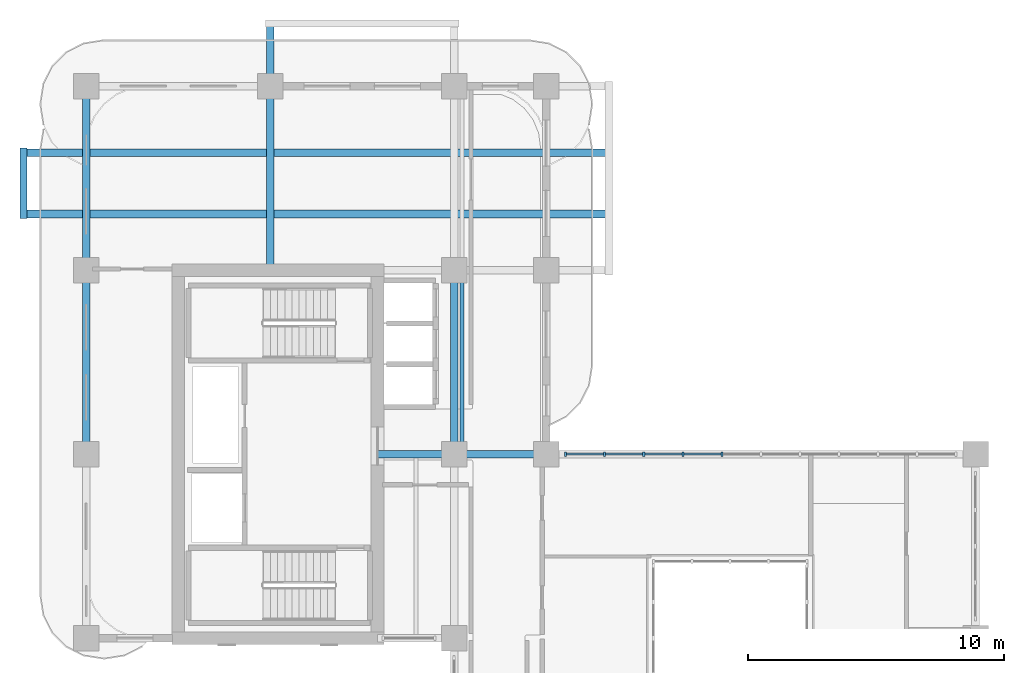
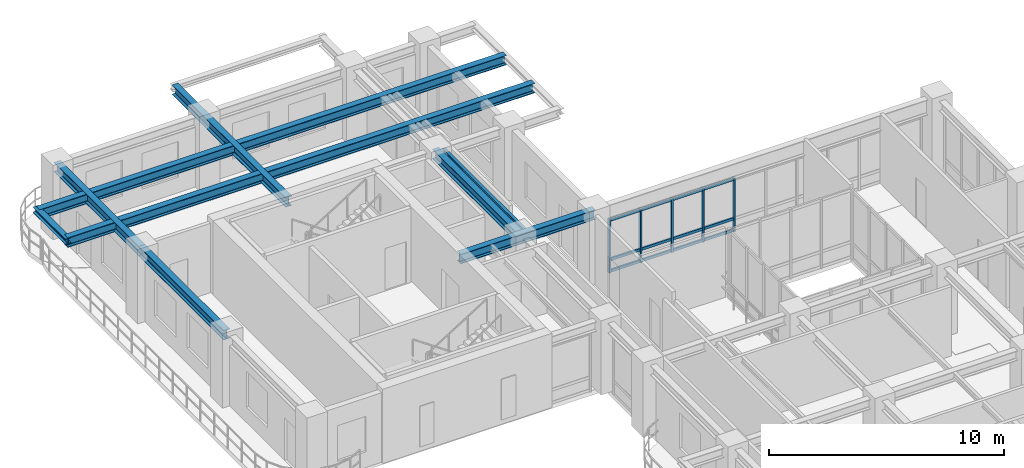
# One storey, part 5 of 19: 17 members, 9 beams, 1 element without a shape of its own.
"""IFC4 building model written with IfcOpenShell, lengths in metres."""

from ifc_helpers import new_model, si_unit, derived_unit, direction, frame, origin, origin_2d, place, context, subcontext, project, spatial, rectangle, i_section, extrude, source, transform, mapped, material, layer, layer_set, material_profile, profile_set, type_object, type_shapes, element, aggregate, save


model = new_model("IFC4")

# Units and contexts
model_context = context("Model", 3, precision=1e-05, world=origin(), true_north=direction((0.0, 1.0)))
body_context = subcontext(model_context, "Body", "Model", "MODEL_VIEW")
ifc_project = project(units=[si_unit("LENGTHUNIT", "METRE"), si_unit("AREAUNIT", "SQUARE_METRE"), si_unit("VOLUMEUNIT", "CUBIC_METRE"), si_unit("PLANEANGLEUNIT", "RADIAN"), si_unit("MASSUNIT", "GRAM", prefix="KILO"), si_unit("THERMODYNAMICTEMPERATUREUNIT", "KELVIN"), si_unit("POWERUNIT", "WATT"), derived_unit("THERMALTRANSMITTANCEUNIT", [(si_unit("POWERUNIT", "WATT"), 1), (si_unit("AREAUNIT", "SQUARE_METRE"), -1), (si_unit("THERMODYNAMICTEMPERATUREUNIT", "KELVIN"), -1)])], contexts=[model_context])

# Site, building, storey
site_placement = place(None, origin())
site = spatial("IfcSite", under=ifc_project, at=site_placement, CompositionType="ELEMENT")
building_placement = place(site_placement, origin())
building = spatial("IfcBuilding", under=site, at=building_placement, Name="Zahravan Archway Hotel and Residences", CompositionType="ELEMENT")
storey_placement = place(building_placement, frame((0.0, 0.0, 158.0)))
storey = spatial("IfcBuildingStorey", under=building, at=storey_placement, Name="L39", CompositionType="ELEMENT", Elevation=158.0)

# Beams
ifc_material_1 = material(Name="Structural Steel S355JR", Category="steel")
ifc_material_profile_1 = material_profile(ifc_material_1, i_section(OverallWidth=0.280029296875, OverallDepth=0.280029296875, WebThickness=0.010498046875, FlangeThickness=0.01806640625, FilletRadius=0.02392578125, at=origin_2d()), Name="HEB 280", Category="steel")
ifc_profile_set_1 = profile_set([ifc_material_profile_1], Name="Structural Steel S355JR")
beam_type_1 = type_object("IfcBeamType", Name="BM-SPN-HEB280", PredefinedType="SPANDREL", material=ifc_profile_set_1)
shared_shape_1 = source(origin(), body_context, "Body", "SweptSolid", [
    extrude(i_section(OverallWidth=0.280029296875, OverallDepth=0.280029296875, WebThickness=0.010498046875, FlangeThickness=0.01806640625, FilletRadius=0.02392578125, at=origin_2d()), origin(), (0.0, 0.0, 1.0), 2.759765625),
])
beam_1_placement = place(storey_placement, frame((-2.449951171875, 41.6201171875, 3.4599609375), z_axis=(0.0, 1.0, 0.0), x_axis=(-1.0, 0.0, 0.0)))
element("IfcBeam", 1, at=beam_1_placement, inside=storey, type_object=beam_type_1, Name="L40 WB Balcony Edge Spandrel", PredefinedType="SPANDREL", context=body_context, shape_type="MappedRepresentation", body=[
    mapped(shared_shape_1, transform((0.0, 0.0, 0.0), scale=1.0)),
])
ifc_material_profile_2 = material_profile(ifc_material_1, i_section(OverallWidth=0.300048828125, OverallDepth=0.5, WebThickness=0.014404296875, FlangeThickness=0.028076171875, FilletRadius=0.027099609375, at=origin_2d()), Name="HEB 500", Category="steel")
ifc_profile_set_2 = profile_set([ifc_material_profile_2], Name="Structural Steel S355JR")
beam_type_2 = type_object("IfcBeamType", Name="BM-PRI-HEB500", PredefinedType="BEAM", material=ifc_profile_set_2)
shared_shape_2 = source(origin(), body_context, "Body", "SweptSolid", [
    extrude(i_section(OverallWidth=0.300048828125, OverallDepth=0.5, WebThickness=0.014404296875, FlangeThickness=0.028076171875, FilletRadius=0.027099609375, at=origin_2d()), origin(), (0.0, 0.0, 1.0), 7.2001953125),
])
type_shapes(beam_type_2, [shared_shape_2])
for number, where, z_axis, x_axis, name in (
    (2, (0.0, 32.39990234375, 3.35009765625), (0.0, 1.0, 0.0), (-1.0, 0.0, 0.0), "L39 Primary Girder NS-25"),
    (3, (14.39990234375, 32.39990234375, 3.35009765625), (0.0, 1.0, 0.0), (-1.0, 0.0, 0.0), "L39 Primary Girder NS-33"),
):
    element("IfcBeam", number, at=place(storey_placement, frame(where, z_axis=z_axis, x_axis=x_axis)), inside=storey, type_object=beam_type_2, Name=name, PredefinedType="BEAM", context=body_context, shape_type="MappedRepresentation", body=[
        mapped(shared_shape_2, transform((0.0, 0.0, 0.0), scale=1.0)),
    ])
shared_shape_3 = source(origin(), body_context, "Body", "SweptSolid", [
    extrude(i_section(OverallWidth=0.300048828125, OverallDepth=0.5, WebThickness=0.014404296875, FlangeThickness=0.028076171875, FilletRadius=0.027099609375, at=origin_2d()), origin(), (0.0, 0.0, 1.0), 7.199951171875),
])
beam_2_placement = place(storey_placement, frame((0.0, 39.60009765625, 3.35009765625), z_axis=(0.0, 1.0, 0.0), x_axis=(-1.0, 0.0, 0.0)))
element("IfcBeam", 4, at=beam_2_placement, inside=storey, type_object=beam_type_2, Name="L39 Primary Girder NS-26", PredefinedType="BEAM", context=body_context, shape_type="MappedRepresentation", body=[
    mapped(shared_shape_3, transform((0.0, 0.0, 0.0), scale=1.0)),
])
shared_shape_4 = source(origin(), body_context, "Body", "SweptSolid", [
    extrude(i_section(OverallWidth=0.300048828125, OverallDepth=0.5, WebThickness=0.014404296875, FlangeThickness=0.028076171875, FilletRadius=0.027099609375, at=origin_2d()), origin(), (0.0, 0.0, 1.0), 6.60009765625),
])
beam_3_placement = place(storey_placement, frame((11.39990234375, 32.39990234375, 3.35009765625), z_axis=(1.0, 0.0, 0.0), x_axis=(0.0, 1.0, 0.0)))
element("IfcBeam", 5, at=beam_3_placement, inside=storey, type_object=beam_type_2, Name="L39 Primary Girder EW-17", PredefinedType="BEAM", context=body_context, shape_type="MappedRepresentation", body=[
    mapped(shared_shape_4, transform((0.0, 0.0, 0.0), scale=1.0)),
])
shared_shape_5 = source(origin(), body_context, "Body", "SweptSolid", [
    extrude(i_section(OverallWidth=0.300048828125, OverallDepth=0.5, WebThickness=0.014404296875, FlangeThickness=0.028076171875, FilletRadius=0.027099609375, at=origin_2d()), origin(), (0.0, 0.0, 1.0), 22.89990234375),
])
for number, where, z_axis, x_axis, name in (
    (6, (-2.449951171875, 41.800048828125, 3.35009765625), (1.0, 0.0, 0.0), (0.0, 1.0, 0.0), "L39 Primary Girder EW-22"),
    (7, (-2.449951171875, 44.199951171875, 3.35009765625), (1.0, 0.0, 0.0), (0.0, 1.0, 0.0), "L39 Primary Girder EW-23"),
):
    element("IfcBeam", number, at=place(storey_placement, frame(where, z_axis=z_axis, x_axis=x_axis)), inside=storey, type_object=beam_type_2, Name=name, PredefinedType="BEAM", context=body_context, shape_type="MappedRepresentation", body=[
        mapped(shared_shape_5, transform((0.0, 0.0, 0.0), scale=1.0)),
    ])
shared_shape_6 = source(origin(), body_context, "Body", "SweptSolid", [
    extrude(i_section(OverallWidth=0.300048828125, OverallDepth=0.5, WebThickness=0.014404296875, FlangeThickness=0.028076171875, FilletRadius=0.027099609375, at=origin_2d()), origin(), (0.0, 0.0, 1.0), 9.64990234375),
])
beam_4_placement = place(storey_placement, frame((7.199951171875, 39.60009765625, 3.35009765625), z_axis=(0.0, 1.0, 0.0), x_axis=(-1.0, 0.0, 0.0)))
element("IfcBeam", 8, at=beam_4_placement, inside=storey, type_object=beam_type_2, Name="L39 Primary Girder NS-27", PredefinedType="BEAM", context=body_context, shape_type="MappedRepresentation", body=[
    mapped(shared_shape_6, transform((0.0, 0.0, 0.0), scale=1.0)),
])
ifc_material_profile_3 = material_profile(ifc_material_1, i_section(OverallWidth=0.14990234375, OverallDepth=0.300048828125, WebThickness=0.007080078125, FlangeThickness=0.0107421875, FilletRadius=0.014892578125, at=origin_2d()), Name="IPE 300", Category="steel")
ifc_profile_set_3 = profile_set([ifc_material_profile_3], Name="Structural Steel S355JR")
beam_type_3 = type_object("IfcBeamType", Name="BM-JST-IPE300", PredefinedType="JOIST", material=ifc_profile_set_3)
shared_shape_7 = source(origin(), body_context, "Body", "SweptSolid", [
    extrude(i_section(OverallWidth=0.14990234375, OverallDepth=0.300048828125, WebThickness=0.007080078125, FlangeThickness=0.0107421875, FilletRadius=0.014892578125, at=origin_2d()), origin(), (0.0, 0.0, 1.0), 6.90380859375),
])
beam_5_placement = place(storey_placement, frame((14.699951171875, 32.548095703125, 3.449951171875), z_axis=(0.0, 1.0, 0.0), x_axis=(-1.0, 0.0, 0.0)))
element("IfcBeam", 9, at=beam_5_placement, inside=storey, type_object=beam_type_3, Name="L39 Composite Floor Joist 11", PredefinedType="JOIST", context=body_context, shape_type="MappedRepresentation", body=[
    mapped(shared_shape_7, transform((0.0, 0.0, 0.0), scale=1.0)),
])

# Curtain wall, members
ifc_material_2 = material(Name="Bronze-Anodized Unitised Aluminium & Low-E Glass", Category="aluminium")
ifc_layer = layer(ifc_material_2, 0.179931640625, Name="Bronze-Anodized Unitised Aluminium & Low-E Glass", Category="aluminium")
ifc_layer_set = layer_set([ifc_layer], Name="Bronze-Anodized Unitised Aluminium & Low-E Glass")
curtain_wall_type = type_object("IfcCurtainWallType", Name="CW-ATR-GLAZ", PredefinedType="NOTDEFINED", material=ifc_layer_set)
curtain_wall_placement = place(storey_placement, origin())
curtain_wall = element("IfcCurtainWall", 10, at=curtain_wall_placement, inside=storey, type_object=curtain_wall_type, Name="L39 Curtain Wall CW-L39-HNG-N-1", PredefinedType="NOTDEFINED")
ifc_material_3 = material(Name="Bronze-Anodized Extruded Aluminium", Category="aluminium")
ifc_material_profile_4 = material_profile(ifc_material_3, rectangle(XDim=0.080078125, YDim=0.139892578125, at=origin_2d()), Name="TRN 80x140", Category="aluminium")
ifc_profile_set_4 = profile_set([ifc_material_profile_4], Name="Bronze-Anodized Extruded Aluminium")
member_type_1 = type_object("IfcMemberType", Name="CWM-TRN-140", PredefinedType="USERDEFINED", material=ifc_profile_set_4)
shared_shape_8 = source(origin(), body_context, "Body", "SweptSolid", [
    extrude(rectangle(XDim=0.080078125, YDim=0.139892578125, at=origin_2d()), origin(), (0.0, 0.0, 1.0), 1.447998046875),
])
member_1_placement = place(storey_placement, frame((18.800048828125, 32.39990234375, 0.070068359375), z_axis=(1.0, 0.0, 0.0), x_axis=(0.0, 1.0, 0.0)))
member_1 = element("IfcMember", 11, at=member_1_placement, type_object=member_type_1, Name="CW-L39-HNG-N-1 Transom 0-1", ObjectType="TRANSOM", PredefinedType="USERDEFINED", context=body_context, shape_type="MappedRepresentation", body=[
    mapped(shared_shape_8, transform((0.0, 0.0, 0.0), scale=1.0)),
])
member_2_placement = place(storey_placement, frame((18.800048828125, 32.39990234375, 0.66845703125), z_axis=(1.0, 0.0, 0.0), x_axis=(0.0, 1.0, 0.0)))
member_2 = element("IfcMember", 12, at=member_2_placement, type_object=member_type_1, Name="CW-L39-HNG-N-1 Transom 0-2", ObjectType="TRANSOM", PredefinedType="USERDEFINED", context=body_context, shape_type="MappedRepresentation", body=[
    mapped(shared_shape_8, transform((0.0, 0.0, 0.0), scale=1.0)),
])
member_3_placement = place(storey_placement, frame((18.800048828125, 32.39990234375, 2.715087890625), z_axis=(1.0, 0.0, 0.0), x_axis=(0.0, 1.0, 0.0)))
member_3 = element("IfcMember", 13, at=member_3_placement, type_object=member_type_1, Name="CW-L39-HNG-N-1 Transom 0-3", ObjectType="TRANSOM", PredefinedType="USERDEFINED", context=body_context, shape_type="MappedRepresentation", body=[
    mapped(shared_shape_8, transform((0.0, 0.0, 0.0), scale=1.0)),
])
member_4_placement = place(storey_placement, frame((20.327880859375, 32.39990234375, 0.070068359375), z_axis=(1.0, 0.0, 0.0), x_axis=(0.0, 1.0, 0.0)))
member_4 = element("IfcMember", 14, at=member_4_placement, type_object=member_type_1, Name="CW-L39-HNG-N-1 Transom 1-1", ObjectType="TRANSOM", PredefinedType="USERDEFINED", context=body_context, shape_type="MappedRepresentation", body=[
    mapped(shared_shape_8, transform((0.0, 0.0, 0.0), scale=1.0)),
])
member_5_placement = place(storey_placement, frame((20.327880859375, 32.39990234375, 0.66845703125), z_axis=(1.0, 0.0, 0.0), x_axis=(0.0, 1.0, 0.0)))
member_5 = element("IfcMember", 15, at=member_5_placement, type_object=member_type_1, Name="CW-L39-HNG-N-1 Transom 1-2", ObjectType="TRANSOM", PredefinedType="USERDEFINED", context=body_context, shape_type="MappedRepresentation", body=[
    mapped(shared_shape_8, transform((0.0, 0.0, 0.0), scale=1.0)),
])
member_6_placement = place(storey_placement, frame((20.327880859375, 32.39990234375, 2.715087890625), z_axis=(1.0, 0.0, 0.0), x_axis=(0.0, 1.0, 0.0)))
member_6 = element("IfcMember", 16, at=member_6_placement, type_object=member_type_1, Name="CW-L39-HNG-N-1 Transom 1-3", ObjectType="TRANSOM", PredefinedType="USERDEFINED", context=body_context, shape_type="MappedRepresentation", body=[
    mapped(shared_shape_8, transform((0.0, 0.0, 0.0), scale=1.0)),
])
member_7_placement = place(storey_placement, frame((21.85595703125, 32.39990234375, 0.070068359375), z_axis=(1.0, 0.0, 0.0), x_axis=(0.0, 1.0, 0.0)))
member_7 = element("IfcMember", 17, at=member_7_placement, type_object=member_type_1, Name="CW-L39-HNG-N-1 Transom 2-1", ObjectType="TRANSOM", PredefinedType="USERDEFINED", context=body_context, shape_type="MappedRepresentation", body=[
    mapped(shared_shape_8, transform((0.0, 0.0, 0.0), scale=1.0)),
])
member_8_placement = place(storey_placement, frame((21.85595703125, 32.39990234375, 0.66845703125), z_axis=(1.0, 0.0, 0.0), x_axis=(0.0, 1.0, 0.0)))
member_8 = element("IfcMember", 18, at=member_8_placement, type_object=member_type_1, Name="CW-L39-HNG-N-1 Transom 2-2", ObjectType="TRANSOM", PredefinedType="USERDEFINED", context=body_context, shape_type="MappedRepresentation", body=[
    mapped(shared_shape_8, transform((0.0, 0.0, 0.0), scale=1.0)),
])
member_9_placement = place(storey_placement, frame((21.85595703125, 32.39990234375, 2.715087890625), z_axis=(1.0, 0.0, 0.0), x_axis=(0.0, 1.0, 0.0)))
member_9 = element("IfcMember", 19, at=member_9_placement, type_object=member_type_1, Name="CW-L39-HNG-N-1 Transom 2-3", ObjectType="TRANSOM", PredefinedType="USERDEFINED", context=body_context, shape_type="MappedRepresentation", body=[
    mapped(shared_shape_8, transform((0.0, 0.0, 0.0), scale=1.0)),
])
member_10_placement = place(storey_placement, frame((23.384033203125, 32.39990234375, 0.070068359375), z_axis=(1.0, 0.0, 0.0), x_axis=(0.0, 1.0, 0.0)))
member_10 = element("IfcMember", 20, at=member_10_placement, type_object=member_type_1, Name="CW-L39-HNG-N-1 Transom 3-1", ObjectType="TRANSOM", PredefinedType="USERDEFINED", context=body_context, shape_type="MappedRepresentation", body=[
    mapped(shared_shape_8, transform((0.0, 0.0, 0.0), scale=1.0)),
])
member_11_placement = place(storey_placement, frame((23.384033203125, 32.39990234375, 0.66845703125), z_axis=(1.0, 0.0, 0.0), x_axis=(0.0, 1.0, 0.0)))
member_11 = element("IfcMember", 21, at=member_11_placement, type_object=member_type_1, Name="CW-L39-HNG-N-1 Transom 3-2", ObjectType="TRANSOM", PredefinedType="USERDEFINED", context=body_context, shape_type="MappedRepresentation", body=[
    mapped(shared_shape_8, transform((0.0, 0.0, 0.0), scale=1.0)),
])
member_12_placement = place(storey_placement, frame((23.384033203125, 32.39990234375, 2.715087890625), z_axis=(1.0, 0.0, 0.0), x_axis=(0.0, 1.0, 0.0)))
member_12 = element("IfcMember", 22, at=member_12_placement, type_object=member_type_1, Name="CW-L39-HNG-N-1 Transom 3-3", ObjectType="TRANSOM", PredefinedType="USERDEFINED", context=body_context, shape_type="MappedRepresentation", body=[
    mapped(shared_shape_8, transform((0.0, 0.0, 0.0), scale=1.0)),
])
ifc_material_profile_5 = material_profile(ifc_material_3, rectangle(XDim=0.080078125, YDim=0.159912109375, at=origin_2d()), Name="MUL 80x160", Category="aluminium")
ifc_profile_set_5 = profile_set([ifc_material_profile_5], Name="Bronze-Anodized Extruded Aluminium")
member_type_2 = type_object("IfcMemberType", Name="CWM-MUL-160", PredefinedType="MULLION", material=ifc_profile_set_5)
shared_shape_9 = source(origin(), body_context, "Body", "SweptSolid", [
    extrude(rectangle(XDim=0.080078125, YDim=0.159912109375, at=origin_2d()), origin(), (0.0, 0.0, 1.0), 2.784912109375),
])
member_13_placement = place(storey_placement, frame((18.760009765625, 32.39990234375, 0.0), z_axis=(0.0, 0.0, 1.0), x_axis=(1.0, 0.0, 0.0)))
member_13 = element("IfcMember", 23, at=member_13_placement, type_object=member_type_2, Name="CW-L39-HNG-N-1 Mullion 0", PredefinedType="MULLION", context=body_context, shape_type="MappedRepresentation", body=[
    mapped(shared_shape_9, transform((0.0, 0.0, 0.0), scale=1.0)),
])
member_14_placement = place(storey_placement, frame((20.2880859375, 32.39990234375, 0.0), z_axis=(0.0, 0.0, 1.0), x_axis=(1.0, 0.0, 0.0)))
member_14 = element("IfcMember", 24, at=member_14_placement, type_object=member_type_2, Name="CW-L39-HNG-N-1 Mullion 1", PredefinedType="MULLION", context=body_context, shape_type="MappedRepresentation", body=[
    mapped(shared_shape_9, transform((0.0, 0.0, 0.0), scale=1.0)),
])
member_15_placement = place(storey_placement, frame((21.81591796875, 32.39990234375, 0.0), z_axis=(0.0, 0.0, 1.0), x_axis=(1.0, 0.0, 0.0)))
member_15 = element("IfcMember", 25, at=member_15_placement, type_object=member_type_2, Name="CW-L39-HNG-N-1 Mullion 2", PredefinedType="MULLION", context=body_context, shape_type="MappedRepresentation", body=[
    mapped(shared_shape_9, transform((0.0, 0.0, 0.0), scale=1.0)),
])
member_16_placement = place(storey_placement, frame((23.343994140625, 32.39990234375, 0.0), z_axis=(0.0, 0.0, 1.0), x_axis=(1.0, 0.0, 0.0)))
member_16 = element("IfcMember", 26, at=member_16_placement, type_object=member_type_2, Name="CW-L39-HNG-N-1 Mullion 3", PredefinedType="MULLION", context=body_context, shape_type="MappedRepresentation", body=[
    mapped(shared_shape_9, transform((0.0, 0.0, 0.0), scale=1.0)),
])
member_17_placement = place(storey_placement, frame((24.8720703125, 32.39990234375, 0.0), z_axis=(0.0, 0.0, 1.0), x_axis=(1.0, 0.0, 0.0)))
member_17 = element("IfcMember", 27, at=member_17_placement, type_object=member_type_2, Name="CW-L39-HNG-N-1 Mullion 4", PredefinedType="MULLION", context=body_context, shape_type="MappedRepresentation", body=[
    mapped(shared_shape_9, transform((0.0, 0.0, 0.0), scale=1.0)),
])
aggregate(curtain_wall, [member_13, member_14, member_15, member_16, member_17, member_1, member_2, member_3, member_4, member_5, member_6, member_7, member_8, member_9, member_10, member_11, member_12])

save(model, "model.ifc")
